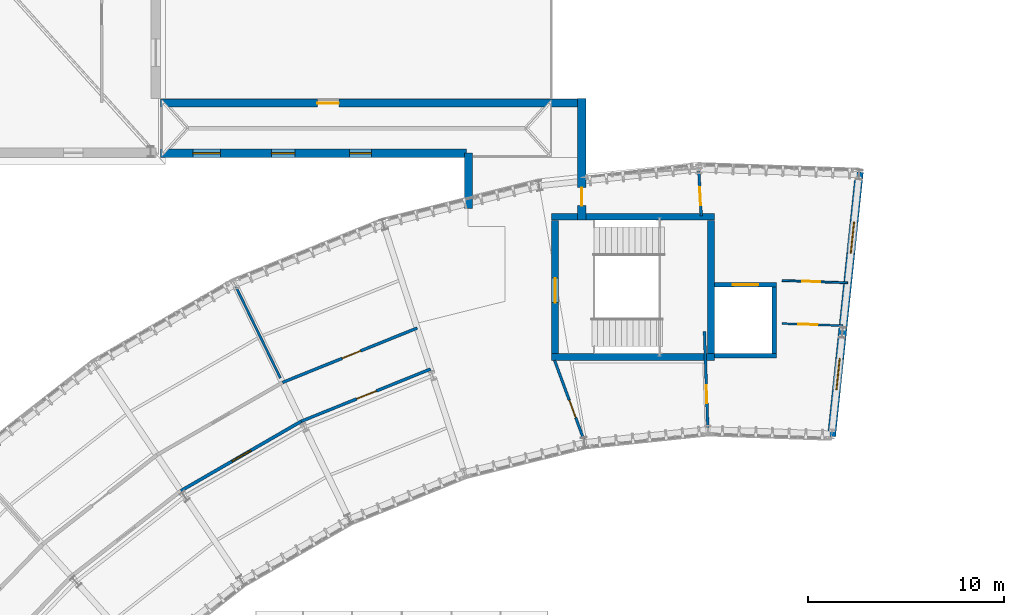
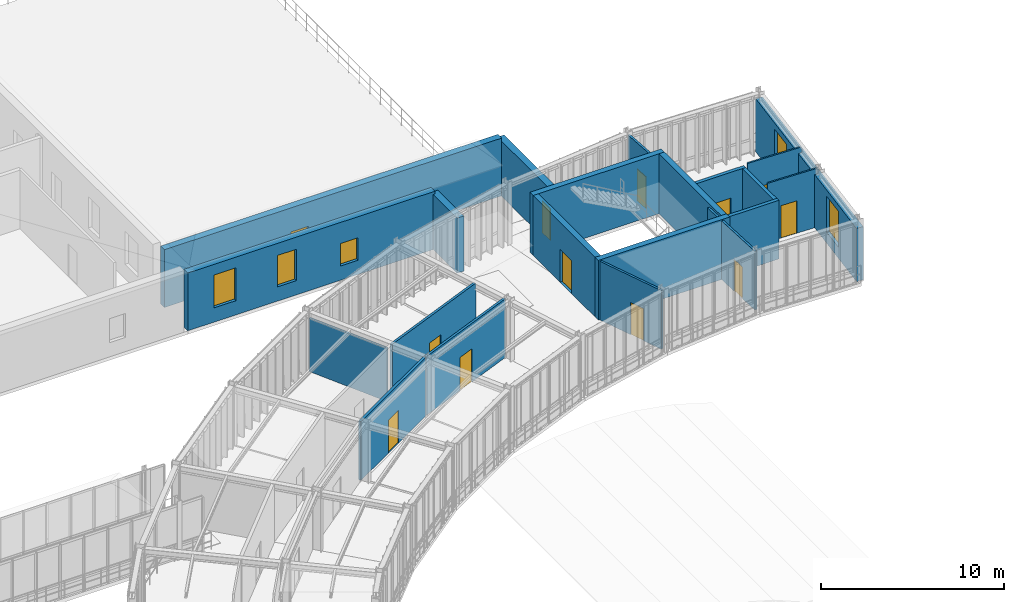
# One storey, part 45 of 57: 21 walls, 12 doors, 5 windows, 17 openings.
"""IFC4 building model written with IfcOpenShell, lengths in metres."""

from ifc_helpers import new_model, si_unit, direction, frame, frame_2d, origin, place, context, subcontext, project, spatial, rectangle, extrude, material, layer, layer_set, type_object, element, fill, save


model = new_model("IFC4")

# Units and contexts
model_context = context("Model", 3, precision=1e-05, world=origin(), true_north=direction((0.0, 1.0)))
body_context = subcontext(model_context, "Body", "Model", "MODEL_VIEW")
ifc_project = project(units=[si_unit("LENGTHUNIT", "METRE"), si_unit("AREAUNIT", "SQUARE_METRE"), si_unit("VOLUMEUNIT", "CUBIC_METRE"), si_unit("PLANEANGLEUNIT", "RADIAN"), si_unit("MASSUNIT", "GRAM", prefix="KILO"), si_unit("THERMODYNAMICTEMPERATUREUNIT", "KELVIN"), si_unit("POWERUNIT", "WATT")], contexts=[model_context])

# Site, building, storey
site_placement = place(None, origin())
site = spatial("IfcSite", under=ifc_project, at=site_placement, CompositionType="ELEMENT")
building_placement = place(site_placement, origin())
building = spatial("IfcBuilding", under=site, at=building_placement, Name="Solvatero Civic Police Headquarters", CompositionType="ELEMENT")
storey_placement = place(building_placement, frame((0.0, 0.0, 9.300048828125)))
storey = spatial("IfcBuildingStorey", under=building, at=storey_placement, Name="L02", CompositionType="ELEMENT", Elevation=9.300048828125)

# Wall, openings, windows
ifc_material_1 = material(Name="Cream Limestone Ashlar", Category="masonry")
ifc_layer_1 = layer(ifc_material_1, 0.419921875)
ifc_layer_set_1 = layer_set([ifc_layer_1], Name="Cream Limestone Ashlar")
wall_type_1 = type_object("IfcWallType", Name="WL-EXT-LIME-420", PredefinedType="SOLIDWALL", material=ifc_layer_set_1)
wall_1_placement = place(storey_placement, frame((64.5, 85.419921875, 0.0), z_axis=(0.0, 0.0, 1.0), x_axis=(1.0, 0.0, 0.0)))
wall_1 = element("IfcWall", 1, at=wall_1_placement, inside=storey, type_object=wall_type_1, Name="Exterior Wall WLE-L02-V7COR-S", PredefinedType="SOLIDWALL", context=body_context, shape_type="SweptSolid", body=[
    extrude(rectangle(XDim=15.60009765625, YDim=0.419921875, at=frame_2d((7.800048828125, 0.0))), origin(), (0.0, 0.0, 1.0), 3.85986328125),
])
opening_1_placement = place(wall_1_placement, frame((1.64990234375, 0.0, 0.949951171875)))
opening_1 = element("IfcOpeningElement", 2, at=opening_1_placement, cuts=wall_1, Name="Opening W-02", PredefinedType="OPENING", context=body_context, shape_type="SweptSolid", body=[
    extrude(rectangle(XDim=1.39990234375, YDim=2.199951171875, at=frame_2d((0.699951171875, 1.10009765625))), frame((0.0, 0.219970703125, 0.0), z_axis=(0.0, -1.0, 0.0), x_axis=(1.0, 0.0, 0.0)), (0.0, 0.0, 1.0), 0.43994140625),
])
opening_2_placement = place(wall_1_placement, frame((5.64990234375, 0.0, 0.949951171875)))
opening_2 = element("IfcOpeningElement", 3, at=opening_2_placement, cuts=wall_1, Name="Opening W-01", PredefinedType="OPENING", context=body_context, shape_type="SweptSolid", body=[
    extrude(rectangle(XDim=1.199951171875, YDim=2.10009765625, at=frame_2d((0.60009765625, 1.050048828125))), frame((0.0, 0.219970703125, 0.0), z_axis=(0.0, -1.0, 0.0), x_axis=(1.0, 0.0, 0.0)), (0.0, 0.0, 1.0), 0.43994140625),
])
opening_3_placement = place(wall_1_placement, frame((9.64990234375, 0.0, 0.949951171875)))
opening_3 = element("IfcOpeningElement", 4, at=opening_3_placement, cuts=wall_1, Name="Opening W-11", PredefinedType="OPENING", context=body_context, shape_type="SweptSolid", body=[
    extrude(rectangle(XDim=1.10009765625, YDim=1.5, at=frame_2d((0.550048828125, 0.75))), frame((0.0, 0.219970703125, 0.0), z_axis=(0.0, -1.0, 0.0), x_axis=(1.0, 0.0, 0.0)), (0.0, 0.0, 1.0), 0.43994140625),
])
ifc_material_2 = material(Name="Ballistic Steel Frame Glass", Category="steel")
window_type_1 = type_object("IfcWindowType", Name="WN-CL-110x150", PartitioningType="SINGLE_PANEL", PredefinedType="WINDOW", material=ifc_material_2)
window_1_placement = place(opening_3_placement, origin())
window_1 = element("IfcWindow", 5, at=window_1_placement, inside=storey, type_object=window_type_1, Name="Exterior Window 0213", OverallHeight=1.5, OverallWidth=1.10009765625, PartitioningType="SINGLE_PANEL", PredefinedType="WINDOW", context=body_context, shape_type="SweptSolid", body=[
    extrude(rectangle(XDim=1.10009765625, YDim=1.5, at=frame_2d((0.550048828125, 0.75))), frame((0.0, 0.030029296875, 0.0), z_axis=(0.0, -1.0, 0.0), x_axis=(1.0, 0.0, 0.0)), (0.0, 0.0, 1.0), 0.06005859375),
])
fill(opening_3, window_1)
ifc_material_3 = material(Name="Anodized Bronze Aluminium", Category="aluminium")
window_type_2 = type_object("IfcWindowType", Name="WN-CL-120x210", PartitioningType="SINGLE_PANEL", PredefinedType="WINDOW", material=ifc_material_3)
window_2_placement = place(opening_2_placement, origin())
window_2 = element("IfcWindow", 6, at=window_2_placement, inside=storey, type_object=window_type_2, Name="Exterior Window 0212", OverallHeight=2.10009765625, OverallWidth=1.199951171875, PartitioningType="SINGLE_PANEL", PredefinedType="WINDOW", context=body_context, shape_type="SweptSolid", body=[
    extrude(rectangle(XDim=1.199951171875, YDim=2.10009765625, at=frame_2d((0.60009765625, 1.050048828125))), frame((0.0, 0.030029296875, 0.0), z_axis=(0.0, -1.0, 0.0), x_axis=(1.0, 0.0, 0.0)), (0.0, 0.0, 1.0), 0.06005859375),
])
fill(opening_2, window_2)
window_type_3 = type_object("IfcWindowType", Name="WN-CL-140x220", PartitioningType="SINGLE_PANEL", PredefinedType="WINDOW", material=ifc_material_3)
window_3_placement = place(opening_1_placement, origin())
window_3 = element("IfcWindow", 7, at=window_3_placement, inside=storey, type_object=window_type_3, Name="Exterior Window 0211", OverallHeight=2.199951171875, OverallWidth=1.39990234375, PartitioningType="SINGLE_PANEL", PredefinedType="WINDOW", context=body_context, shape_type="SweptSolid", body=[
    extrude(rectangle(XDim=1.39990234375, YDim=2.199951171875, at=frame_2d((0.699951171875, 1.10009765625))), frame((0.0, 0.030029296875, 0.0), z_axis=(0.0, -1.0, 0.0), x_axis=(1.0, 0.0, 0.0)), (0.0, 0.0, 1.0), 0.06005859375),
])
fill(opening_1, window_3)

# Wall, opening, door
wall_2_placement = place(storey_placement, frame((64.5, 87.97998046875, 0.0), z_axis=(0.0, 0.0, 1.0), x_axis=(1.0, 0.0, 0.0)))
wall_2 = element("IfcWall", 8, at=wall_2_placement, inside=storey, type_object=wall_type_1, Name="Exterior Wall WLE-L02-V7COR-N", PredefinedType="SOLIDWALL", context=body_context, shape_type="SweptSolid", body=[
    extrude(rectangle(XDim=21.300048828125, YDim=0.419921875, at=frame_2d((10.64990234375, 0.0))), origin(), (0.0, 0.0, 1.0), 3.85986328125),
])
opening_4_placement = place(wall_2_placement, frame((8.0, 0.0, 0.0)))
opening_4 = element("IfcOpeningElement", 9, at=opening_4_placement, cuts=wall_2, Name="Opening ED-02", PredefinedType="OPENING", context=body_context, shape_type="SweptSolid", body=[
    extrude(rectangle(XDim=1.10009765625, YDim=2.25, at=frame_2d((0.550048828125, 1.125))), frame((0.0, 0.219970703125, 0.0), z_axis=(0.0, -1.0, 0.0), x_axis=(1.0, 0.0, 0.0)), (0.0, 0.0, 1.0), 0.43994140625),
])
ifc_material_4 = material(Name="Anodized Bronze Aluminium and Laminated Glass", Category="aluminium")
door_type_1 = type_object("IfcDoorType", Name="DR-EXT-110x225", OperationType="NOTDEFINED", PredefinedType="DOOR", material=ifc_material_4)
door_1_placement = place(opening_4_placement, origin())
door_1 = element("IfcDoor", 10, at=door_1_placement, inside=storey, type_object=door_type_1, Name="Exterior Door DR-L02-TRG7-2", OperationType="SINGLE_SWING_RIGHT", OverallHeight=2.25, OverallWidth=1.10009765625, PredefinedType="DOOR", context=body_context, shape_type="SweptSolid", body=[
    extrude(rectangle(XDim=1.10009765625, YDim=2.25, at=frame_2d((0.550048828125, 1.125))), frame((0.0, 0.02490234375, 0.0), z_axis=(0.0, -1.0, 0.0), x_axis=(1.0, 0.0, 0.0)), (0.0, 0.0, 1.0), 0.050048828125),
])
fill(opening_4, door_1)

# Wall
wall_3_placement = place(storey_placement, frame((80.2099609375, 82.60009765625, 0.0), z_axis=(0.0, 0.0, 1.0), x_axis=(0.0, 1.0, 0.0)))
element("IfcWall", 11, at=wall_3_placement, inside=storey, type_object=wall_type_1, Name="Exterior Wall WLE-L02-C3LK-W", PredefinedType="SOLIDWALL", context=body_context, shape_type="SweptSolid", body=[
    extrude(rectangle(XDim=2.83984375, YDim=0.419921875, at=frame_2d((1.419921875, 0.0))), origin(), (0.0, 0.0, 1.0), 3.677978515625),
])

# Wall, opening, door
wall_4_placement = place(storey_placement, frame((85.989990234375, 82.0, 0.0), z_axis=(0.0, 0.0, 1.0), x_axis=(0.0, 1.0, 0.0)))
wall_4 = element("IfcWall", 12, at=wall_4_placement, inside=storey, type_object=wall_type_1, Name="Exterior Wall WLE-L02-C3LK-E", PredefinedType="SOLIDWALL", context=body_context, shape_type="SweptSolid", body=[
    extrude(rectangle(XDim=6.199951171875, YDim=0.419921875, at=frame_2d((3.10009765625, 0.0))), origin(), (0.0, 0.0, 1.0), 3.677978515625),
])
opening_5_placement = place(wall_4_placement, frame((0.75, 0.0, 0.0)))
opening_5 = element("IfcOpeningElement", 13, at=opening_5_placement, cuts=wall_4, Name="Opening ID-03", PredefinedType="OPENING", context=body_context, shape_type="SweptSolid", body=[
    extrude(rectangle(XDim=0.919921875, YDim=2.1201171875, at=frame_2d((0.4599609375, 1.06005859375))), frame((0.0, 0.219970703125, 0.0), z_axis=(0.0, -1.0, 0.0), x_axis=(1.0, 0.0, 0.0)), (0.0, 0.0, 1.0), 0.43994140625),
])
ifc_material_5 = material(Name="Acoustic Oak Timber Veneer", Category="wood")
door_type_2 = type_object("IfcDoorType", Name="DR-OFF-092x212", OperationType="NOTDEFINED", PredefinedType="DOOR", material=ifc_material_5)
door_2_placement = place(opening_5_placement, origin())
door_2 = element("IfcDoor", 14, at=door_2_placement, inside=storey, type_object=door_type_2, Name="Interior Door DR-L02-C3LK-E", OperationType="SINGLE_SWING_RIGHT", OverallHeight=2.1201171875, OverallWidth=0.919921875, PredefinedType="DOOR", context=body_context, shape_type="SweptSolid", body=[
    extrude(rectangle(XDim=0.919921875, YDim=2.1201171875, at=frame_2d((0.4599609375, 1.06005859375))), frame((0.0, 0.02490234375, 0.0), z_axis=(0.0, -1.0, 0.0), x_axis=(1.0, 0.0, 0.0)), (0.0, 0.0, 1.0), 0.050048828125),
])
fill(opening_5, door_2)

# Wall, openings, windows
wall_5_placement = place(storey_placement, frame((98.726806640625, 70.972412109375, 0.0), z_axis=(0.0, 0.0, 1.0), x_axis=(0.104534827036, 0.994521226489, 0.0)))
wall_5 = element("IfcWall", 15, at=wall_5_placement, inside=storey, type_object=wall_type_1, Name="Exterior Wall WLE-L02-ARC-END-E", PredefinedType="SOLIDWALL", context=body_context, shape_type="SweptSolid", body=[
    extrude(rectangle(XDim=13.559814453125, YDim=0.419921875, at=frame_2d((6.77978515625, 0.0))), origin(), (0.0, 0.0, 1.0), 3.550048828125),
])
opening_6_placement = place(wall_5_placement, frame((2.39990234375, 0.0, 0.739990234375)))
opening_6 = element("IfcOpeningElement", 16, at=opening_6_placement, cuts=wall_5, Name="Opening W-04", PredefinedType="OPENING", context=body_context, shape_type="SweptSolid", body=[
    extrude(rectangle(XDim=1.60009765625, YDim=2.39990234375, at=frame_2d((0.800048828125, 1.199951171875))), frame((0.0, 0.219970703125, 0.0), z_axis=(0.0, -1.0, 0.0), x_axis=(1.0, 0.0, 0.0)), (0.0, 0.0, 1.0), 0.43994140625),
])
opening_7_placement = place(wall_5_placement, frame((9.39990234375, 0.0, 0.739990234375)))
opening_7 = element("IfcOpeningElement", 17, at=opening_7_placement, cuts=wall_5, Name="Opening W-04", PredefinedType="OPENING", context=body_context, shape_type="SweptSolid", body=[
    extrude(rectangle(XDim=1.60009765625, YDim=2.39990234375, at=frame_2d((0.800048828125, 1.199951171875))), frame((0.0, 0.219970703125, 0.0), z_axis=(0.0, -1.0, 0.0), x_axis=(1.0, 0.0, 0.0)), (0.0, 0.0, 1.0), 0.43994140625),
])
window_type_4 = type_object("IfcWindowType", Name="WN-CL-160x240", PartitioningType="SINGLE_PANEL", PredefinedType="WINDOW", material=ifc_material_3)
window_4_placement = place(opening_6_placement, origin())
window_4 = element("IfcWindow", 18, at=window_4_placement, inside=storey, type_object=window_type_4, Name="Exterior Window 0285", OverallHeight=2.39990234375, OverallWidth=1.60009765625, PartitioningType="SINGLE_PANEL", PredefinedType="WINDOW", context=body_context, shape_type="SweptSolid", body=[
    extrude(rectangle(XDim=1.60009765625, YDim=2.39990234375, at=frame_2d((0.800048828125, 1.199951171875))), frame((0.0, 0.030029296875, 0.0), z_axis=(0.0, -1.0, 0.0), x_axis=(1.0, 0.0, 0.0)), (0.0, 0.0, 1.0), 0.06005859375),
])
fill(opening_6, window_4)
window_5_placement = place(opening_7_placement, origin())
window_5 = element("IfcWindow", 19, at=window_5_placement, inside=storey, type_object=window_type_4, Name="Exterior Window 0286", OverallHeight=2.39990234375, OverallWidth=1.60009765625, PartitioningType="SINGLE_PANEL", PredefinedType="WINDOW", context=body_context, shape_type="SweptSolid", body=[
    extrude(rectangle(XDim=1.60009765625, YDim=2.39990234375, at=frame_2d((0.800048828125, 1.199951171875))), frame((0.0, 0.030029296875, 0.0), z_axis=(0.0, -1.0, 0.0), x_axis=(1.0, 0.0, 0.0)), (0.0, 0.0, 1.0), 0.06005859375),
])
fill(opening_7, window_5)

# Wall, opening, door
ifc_material_6 = material(Name="Gypsum Acoustic Stud", Category="gypsum")
ifc_layer_2 = layer(ifc_material_6, 0.10009765625)
ifc_layer_set_2 = layer_set([ifc_layer_2], Name="Gypsum Acoustic Stud")
wall_type_2 = type_object("IfcWallType", Name="WL-PTN-100", PredefinedType="PARTITIONING", material=ifc_layer_set_2)
wall_6_placement = place(storey_placement, frame((99.320556640625, 76.62109375, 0.0), z_axis=(0.0, 0.0, 1.0), x_axis=(-0.999389073029, 0.034949688284, 0.0)))
wall_6 = element("IfcWall", 20, at=wall_6_placement, inside=storey, type_object=wall_type_2, Name="Interior Partition WLP-L02-ARC-CIN-B01", PredefinedType="PARTITIONING", context=body_context, shape_type="SweptSolid", body=[
    extrude(rectangle(XDim=3.12255859375, YDim=0.10009765625, at=frame_2d((1.561279296875, 0.0))), origin(), (0.0, 0.0, 1.0), 3.919921875),
])
opening_8_placement = place(wall_6_placement, frame((1.31103515625, 0.0, 0.0)))
opening_8 = element("IfcOpeningElement", 21, at=opening_8_placement, cuts=wall_6, Name="Opening ID-05", PredefinedType="OPENING", context=body_context, shape_type="SweptSolid", body=[
    extrude(rectangle(XDim=0.97998046875, YDim=2.159912109375, at=frame_2d((0.489990234375, 1.080078125))), frame((0.0, 0.06005859375, 0.0), z_axis=(0.0, -1.0, 0.0), x_axis=(1.0, 0.0, 0.0)), (0.0, 0.0, 1.0), 0.1201171875),
])
ifc_material_7 = material(Name="Powder-Coated Steel", Category="steel")
door_type_3 = type_object("IfcDoorType", Name="DR-OFF-098x216", OperationType="NOTDEFINED", PredefinedType="DOOR", material=ifc_material_7)
door_3_placement = place(opening_8_placement, origin())
door_3 = element("IfcDoor", 22, at=door_3_placement, inside=storey, type_object=door_type_3, Name="Interior Door DR-L02-ARC-IN-B01", OperationType="SINGLE_SWING_RIGHT", OverallHeight=2.159912109375, OverallWidth=0.97998046875, PredefinedType="DOOR", context=body_context, shape_type="SweptSolid", body=[
    extrude(rectangle(XDim=0.97998046875, YDim=2.159912109375, at=frame_2d((0.489990234375, 1.080078125))), frame((0.0, 0.02490234375, 0.0), z_axis=(0.0, -1.0, 0.0), x_axis=(1.0, 0.0, 0.0)), (0.0, 0.0, 1.0), 0.050048828125),
])
fill(opening_8, door_3)

wall_7_placement = place(storey_placement, frame((99.550537109375, 78.80908203125, 0.0), z_axis=(0.0, 0.0, 1.0), x_axis=(-0.999391468521, 0.034881121642, 0.0)))
wall_7 = element("IfcWall", 23, at=wall_7_placement, inside=storey, type_object=wall_type_2, Name="Interior Partition WLP-L02-ARC-COUT-B01", PredefinedType="PARTITIONING", context=body_context, shape_type="SweptSolid", body=[
    extrude(rectangle(XDim=3.3525390625, YDim=0.10009765625, at=frame_2d((1.67626953125, 0.0))), origin(), (0.0, 0.0, 1.0), 3.919921875),
])
opening_9_placement = place(wall_7_placement, frame((1.407958984375, 0.0, 0.0)))
opening_9 = element("IfcOpeningElement", 24, at=opening_9_placement, cuts=wall_7, Name="Opening ID-03", PredefinedType="OPENING", context=body_context, shape_type="SweptSolid", body=[
    extrude(rectangle(XDim=0.919921875, YDim=2.1201171875, at=frame_2d((0.4599609375, 1.06005859375))), frame((0.0, 0.06005859375, 0.0), z_axis=(0.0, -1.0, 0.0), x_axis=(1.0, 0.0, 0.0)), (0.0, 0.0, 1.0), 0.1201171875),
])
door_4_placement = place(opening_9_placement, origin())
door_4 = element("IfcDoor", 25, at=door_4_placement, inside=storey, type_object=door_type_2, Name="Interior Door DR-L02-ARC-OUT-B01", OperationType="SINGLE_SWING_LEFT", OverallHeight=2.1201171875, OverallWidth=0.919921875, PredefinedType="DOOR", context=body_context, shape_type="SweptSolid", body=[
    extrude(rectangle(XDim=0.919921875, YDim=2.1201171875, at=frame_2d((0.4599609375, 1.06005859375))), frame((0.0, 0.02490234375, 0.0), z_axis=(0.0, -1.0, 0.0), x_axis=(1.0, 0.0, 0.0)), (0.0, 0.0, 1.0), 0.050048828125),
])
fill(opening_9, door_4)

# Wall
ifc_layer_3 = layer(ifc_material_6, 0.1201171875)
ifc_layer_set_3 = layer_set([ifc_layer_3], Name="Gypsum Acoustic Stud")
wall_type_3 = type_object("IfcWallType", Name="WL-PTN-120", PredefinedType="PARTITIONING", material=ifc_layer_set_3)
wall_8_placement = place(storey_placement, frame((70.61279296875, 73.95068359375, 0.0), z_axis=(0.0, 0.0, 1.0), x_axis=(-0.438355450259, 0.898801701839, 0.0)))
element("IfcWall", 26, at=wall_8_placement, inside=storey, type_object=wall_type_3, Name="Interior Partition WLP-L02-ARC-RAD-B04", PredefinedType="PARTITIONING", context=body_context, shape_type="SweptSolid", body=[
    extrude(rectangle(XDim=5.150146484375, YDim=0.1201171875, at=frame_2d((2.5751953125, 0.0))), origin(), (0.0, 0.0, 1.0), 3.550048828125),
])

# Wall, opening, door
ifc_material_8 = material(Name="Gypsum Double-Stud", Category="gypsum")
ifc_layer_4 = layer(ifc_material_8, 0.135009765625)
ifc_layer_set_4 = layer_set([ifc_layer_4], Name="Gypsum Double-Stud")
wall_type_4 = type_object("IfcWallType", Name="WL-PTN-135", PredefinedType="PARTITIONING", material=ifc_layer_set_4)
wall_9_placement = place(storey_placement, frame((92.413818359375, 71.42236328125, 0.0), z_axis=(0.0, 0.0, 1.0), x_axis=(-0.034877560821, 0.999391592796, 0.0)))
wall_9 = element("IfcWall", 27, at=wall_9_placement, inside=storey, type_object=wall_type_4, Name="Interior Partition WLP-L02-ARC-R12-IN", PredefinedType="PARTITIONING", context=body_context, shape_type="SweptSolid", body=[
    extrude(rectangle(XDim=4.89990234375, YDim=0.135009765625, at=frame_2d((2.449951171875, 0.0))), origin(), (0.0, 0.0, 1.0), 3.919921875),
])
opening_10_placement = place(wall_9_placement, frame((1.25, 0.0, 0.0)))
opening_10 = element("IfcOpeningElement", 28, at=opening_10_placement, cuts=wall_9, Name="Opening ID-03", PredefinedType="OPENING", context=body_context, shape_type="SweptSolid", body=[
    extrude(rectangle(XDim=0.919921875, YDim=2.1201171875, at=frame_2d((0.4599609375, 1.06005859375))), frame((0.0, 0.077392578125, 0.0), z_axis=(0.0, -1.0, 0.0), x_axis=(1.0, 0.0, 0.0)), (0.0, 0.0, 1.0), 0.155029296875),
])
door_5_placement = place(opening_10_placement, origin())
door_5 = element("IfcDoor", 29, at=door_5_placement, inside=storey, type_object=door_type_2, Name="Interior Door DR-L02-ARC-R12-IN", OperationType="SINGLE_SWING_LEFT", OverallHeight=2.1201171875, OverallWidth=0.919921875, PredefinedType="DOOR", context=body_context, shape_type="SweptSolid", body=[
    extrude(rectangle(XDim=0.919921875, YDim=2.1201171875, at=frame_2d((0.4599609375, 1.06005859375))), frame((0.0, 0.02490234375, 0.0), z_axis=(0.0, -1.0, 0.0), x_axis=(1.0, 0.0, 0.0)), (0.0, 0.0, 1.0), 0.050048828125),
])
fill(opening_10, door_5)

wall_10_placement = place(storey_placement, frame((92.080078125, 82.219970703125, 0.0), z_axis=(0.0, 0.0, 1.0), x_axis=(-0.053763372444, 0.998553704006, 0.0)))
wall_10 = element("IfcWall", 30, at=wall_10_placement, inside=storey, type_object=wall_type_4, Name="Interior Partition WLP-L02-ARC-R12-OUT", PredefinedType="PARTITIONING", context=body_context, shape_type="SweptSolid", body=[
    extrude(rectangle(XDim=2.2978515625, YDim=0.135009765625, at=frame_2d((1.14892578125, 0.0))), origin(), (0.0, 0.0, 1.0), 3.919921875),
])
opening_11_placement = place(wall_10_placement, frame((0.550048828125, 0.0, 0.0)))
opening_11 = element("IfcOpeningElement", 31, at=opening_11_placement, cuts=wall_10, Name="Opening ID-03", PredefinedType="OPENING", context=body_context, shape_type="SweptSolid", body=[
    extrude(rectangle(XDim=0.919921875, YDim=2.1201171875, at=frame_2d((0.4599609375, 1.06005859375))), frame((0.0, 0.077392578125, 0.0), z_axis=(0.0, -1.0, 0.0), x_axis=(1.0, 0.0, 0.0)), (0.0, 0.0, 1.0), 0.155029296875),
])
door_6_placement = place(opening_11_placement, origin())
door_6 = element("IfcDoor", 32, at=door_6_placement, inside=storey, type_object=door_type_2, Name="Interior Door DR-L02-ARC-R12-OUT", OperationType="SINGLE_SWING_RIGHT", OverallHeight=2.1201171875, OverallWidth=0.919921875, PredefinedType="DOOR", context=body_context, shape_type="SweptSolid", body=[
    extrude(rectangle(XDim=0.919921875, YDim=2.1201171875, at=frame_2d((0.4599609375, 1.06005859375))), frame((0.0, 0.02490234375, 0.0), z_axis=(0.0, -1.0, 0.0), x_axis=(1.0, 0.0, 0.0)), (0.0, 0.0, 1.0), 0.050048828125),
])
fill(opening_11, door_6)

wall_11_placement = place(storey_placement, frame((86.107666015625, 70.759521484375, 0.0), z_axis=(0.0, 0.0, 1.0), x_axis=(-0.345809164341, 0.938304866159, 0.0)))
wall_11 = element("IfcWall", 33, at=wall_11_placement, inside=storey, type_object=wall_type_4, Name="Interior Partition WLP-L02-ARC-R23-IN", PredefinedType="PARTITIONING", context=body_context, shape_type="SweptSolid", body=[
    extrude(rectangle(XDim=4.359619140625, YDim=0.135009765625, at=frame_2d((2.1796875, 0.0))), origin(), (0.0, 0.0, 1.0), 3.919921875),
])
opening_12_placement = place(wall_11_placement, frame((1.25, 0.0, 0.0)))
opening_12 = element("IfcOpeningElement", 34, at=opening_12_placement, cuts=wall_11, Name="Opening ID-04", PredefinedType="OPENING", context=body_context, shape_type="SweptSolid", body=[
    extrude(rectangle(XDim=0.949951171875, YDim=2.14990234375, at=frame_2d((0.47509765625, 1.074951171875))), frame((0.0, 0.077392578125, 0.0), z_axis=(0.0, -1.0, 0.0), x_axis=(1.0, 0.0, 0.0)), (0.0, 0.0, 1.0), 0.155029296875),
])
door_type_4 = type_object("IfcDoorType", Name="DR-ACC-095x215", OperationType="NOTDEFINED", PredefinedType="DOOR", material=ifc_material_5)
door_7_placement = place(opening_12_placement, origin())
door_7 = element("IfcDoor", 35, at=door_7_placement, inside=storey, type_object=door_type_4, Name="Interior Door DR-L02-ARC-R23-IN", OperationType="SINGLE_SWING_LEFT", OverallHeight=2.14990234375, OverallWidth=0.949951171875, PredefinedType="DOOR", context=body_context, shape_type="SweptSolid", body=[
    extrude(rectangle(XDim=0.949951171875, YDim=2.14990234375, at=frame_2d((0.47509765625, 1.074951171875))), frame((0.0, 0.02490234375, 0.0), z_axis=(0.0, -1.0, 0.0), x_axis=(1.0, 0.0, 0.0)), (0.0, 0.0, 1.0), 0.050048828125),
])
fill(opening_12, door_7)

ifc_layer_5 = layer(ifc_material_6, 0.14990234375)
ifc_layer_set_5 = layer_set([ifc_layer_5], Name="Gypsum Acoustic Stud")
wall_type_5 = type_object("IfcWallType", Name="WL-PTN-150", PredefinedType="PARTITIONING", material=ifc_layer_set_5)
wall_12_placement = place(storey_placement, frame((78.27099609375, 74.40869140625, 0.0), z_axis=(0.0, 0.0, 1.0), x_axis=(-0.927181218568, -0.374613117677, 0.0)))
wall_12 = element("IfcWall", 36, at=wall_12_placement, inside=storey, type_object=wall_type_5, Name="Interior Partition WLP-L02-ARC-CIN-B04", PredefinedType="PARTITIONING", context=body_context, shape_type="SweptSolid", body=[
    extrude(rectangle(XDim=7.10107421875, YDim=0.14990234375, at=frame_2d((3.550537109375, 0.0))), origin(), (0.0, 0.0, 1.0), 3.919921875),
])
opening_13_placement = place(wall_12_placement, frame((2.98291015625, 0.0, 0.0)))
opening_13 = element("IfcOpeningElement", 37, at=opening_13_placement, cuts=wall_12, Name="Opening ID-08", PredefinedType="OPENING", context=body_context, shape_type="SweptSolid", body=[
    extrude(rectangle(XDim=1.080078125, YDim=2.219970703125, at=frame_2d((0.5400390625, 1.10986328125))), frame((0.0, 0.0849609375, 0.0), z_axis=(0.0, -1.0, 0.0), x_axis=(1.0, 0.0, 0.0)), (0.0, 0.0, 1.0), 0.169921875),
])
door_type_5 = type_object("IfcDoorType", Name="DR-LAB-108x222", OperationType="NOTDEFINED", PredefinedType="DOOR", material=ifc_material_7)
door_8_placement = place(opening_13_placement, origin())
door_8 = element("IfcDoor", 38, at=door_8_placement, inside=storey, type_object=door_type_5, Name="Interior Door DR-L02-ARC-IN-B04", OperationType="SINGLE_SWING_RIGHT", OverallHeight=2.219970703125, OverallWidth=1.080078125, PredefinedType="DOOR", context=body_context, shape_type="SweptSolid", body=[
    extrude(rectangle(XDim=1.080078125, YDim=2.219970703125, at=frame_2d((0.5400390625, 1.10986328125))), frame((0.0, 0.02490234375, 0.0), z_axis=(0.0, -1.0, 0.0), x_axis=(1.0, 0.0, 0.0)), (0.0, 0.0, 1.0), 0.050048828125),
])
fill(opening_13, door_8)

wall_13_placement = place(storey_placement, frame((77.59130859375, 76.501220703125, 0.0), z_axis=(0.0, 0.0, 1.0), x_axis=(-0.927187035022, -0.374598721418, 0.0)))
wall_13 = element("IfcWall", 39, at=wall_13_placement, inside=storey, type_object=wall_type_5, Name="Interior Partition WLP-L02-ARC-COUT-B04", PredefinedType="PARTITIONING", context=body_context, shape_type="SweptSolid", body=[
    extrude(rectangle(XDim=7.408203125, YDim=0.14990234375, at=frame_2d((3.7041015625, 0.0))), origin(), (0.0, 0.0, 1.0), 3.919921875),
])
opening_14_placement = place(wall_13_placement, frame((3.111083984375, 0.0, 0.0)))
opening_14 = element("IfcOpeningElement", 40, at=opening_14_placement, cuts=wall_13, Name="Opening ID-06", PredefinedType="OPENING", context=body_context, shape_type="SweptSolid", body=[
    extrude(rectangle(XDim=1.02001953125, YDim=2.179931640625, at=frame_2d((0.510009765625, 1.08984375))), frame((0.0, 0.0849609375, 0.0), z_axis=(0.0, -1.0, 0.0), x_axis=(1.0, 0.0, 0.0)), (0.0, 0.0, 1.0), 0.169921875),
])
door_type_6 = type_object("IfcDoorType", Name="DR-LAB-102x218", OperationType="NOTDEFINED", PredefinedType="DOOR", material=ifc_material_7)
door_9_placement = place(opening_14_placement, origin())
door_9 = element("IfcDoor", 41, at=door_9_placement, inside=storey, type_object=door_type_6, Name="Interior Door DR-L02-ARC-OUT-B04", OperationType="SINGLE_SWING_LEFT", OverallHeight=2.179931640625, OverallWidth=1.02001953125, PredefinedType="DOOR", context=body_context, shape_type="SweptSolid", body=[
    extrude(rectangle(XDim=1.02001953125, YDim=2.179931640625, at=frame_2d((0.510009765625, 1.08984375))), frame((0.0, 0.02490234375, 0.0), z_axis=(0.0, -1.0, 0.0), x_axis=(1.0, 0.0, 0.0)), (0.0, 0.0, 1.0), 0.050048828125),
])
fill(opening_14, door_9)

ifc_material_9 = material(Name="Concrete Blockwork", Category="masonry")
ifc_layer_6 = layer(ifc_material_9, 0.1650390625)
ifc_layer_set_6 = layer_set([ifc_layer_6], Name="Concrete Blockwork")
wall_type_6 = type_object("IfcWallType", Name="WL-PTN-165", PredefinedType="PARTITIONING", material=ifc_layer_set_6)
wall_14_placement = place(storey_placement, frame((71.68701171875, 71.74853515625, 0.0), z_axis=(0.0, 0.0, 1.0), x_axis=(-0.866032151687, -0.499988312107, 0.0)))
wall_14 = element("IfcWall", 42, at=wall_14_placement, inside=storey, type_object=wall_type_6, Name="Interior Partition WLP-L02-ARC-CIN-B05", PredefinedType="PARTITIONING", context=body_context, shape_type="SweptSolid", body=[
    extrude(rectangle(XDim=7.101318359375, YDim=0.1650390625, at=frame_2d((3.55078125, 0.0))), origin(), (0.0, 0.0, 1.0), 3.919921875),
])
opening_15_placement = place(wall_14_placement, frame((2.98193359375, 0.0, 0.0)))
opening_15 = element("IfcOpeningElement", 43, at=opening_15_placement, cuts=wall_14, Name="Opening ID-09", PredefinedType="OPENING", context=body_context, shape_type="SweptSolid", body=[
    extrude(rectangle(XDim=1.1201171875, YDim=2.199951171875, at=frame_2d((0.56005859375, 1.10009765625))), frame((0.0, 0.092529296875, 0.0), z_axis=(0.0, -1.0, 0.0), x_axis=(1.0, 0.0, 0.0)), (0.0, 0.0, 1.0), 0.18505859375),
])
door_type_7 = type_object("IfcDoorType", Name="DR-PLT-112x220", OperationType="NOTDEFINED", PredefinedType="DOOR", material=ifc_material_7)
door_10_placement = place(opening_15_placement, origin())
door_10 = element("IfcDoor", 44, at=door_10_placement, inside=storey, type_object=door_type_7, Name="Interior Door DR-L02-ARC-IN-B05", OperationType="SINGLE_SWING_RIGHT", OverallHeight=2.199951171875, OverallWidth=1.1201171875, PredefinedType="DOOR", context=body_context, shape_type="SweptSolid", body=[
    extrude(rectangle(XDim=1.1201171875, YDim=2.199951171875, at=frame_2d((0.56005859375, 1.10009765625))), frame((0.0, 0.02490234375, 0.0), z_axis=(0.0, -1.0, 0.0), x_axis=(1.0, 0.0, 0.0)), (0.0, 0.0, 1.0), 0.050048828125),
])
fill(opening_15, door_10)

# Wall
ifc_material_10 = material(Name="Concrete C35/45", Category="concrete")
ifc_layer_7 = layer(ifc_material_10, 0.219970703125)
ifc_layer_set_7 = layer_set([ifc_layer_7], Name="Concrete C35/45")
wall_type_7 = type_object("IfcWallType", Name="WL-SHF-220", PredefinedType="PARTITIONING", material=ifc_layer_set_7)
wall_15_placement = place(storey_placement, frame((92.760009765625, 75.090087890625, 0.0), z_axis=(0.0, 0.0, 1.0), x_axis=(1.0, 0.0, 0.0)))
element("IfcWall", 45, at=wall_15_placement, inside=storey, type_object=wall_type_7, Name="Lift Shaft Wall WLS-LG-01-L02-S", PredefinedType="PARTITIONING", context=body_context, shape_type="SweptSolid", body=[
    extrude(rectangle(XDim=3.159912109375, YDim=0.219970703125, at=frame_2d((1.580078125, 0.0))), origin(), (0.0, 0.0, 1.0), 3.919921875),
])

# Wall, opening, door
wall_16_placement = place(storey_placement, frame((92.760009765625, 78.7099609375, 0.0), z_axis=(0.0, 0.0, 1.0), x_axis=(1.0, 0.0, 0.0)))
wall_16 = element("IfcWall", 46, at=wall_16_placement, inside=storey, type_object=wall_type_7, Name="Lift Shaft Wall WLS-LG-01-L02-N", PredefinedType="PARTITIONING", context=body_context, shape_type="SweptSolid", body=[
    extrude(rectangle(XDim=3.159912109375, YDim=0.219970703125, at=frame_2d((1.580078125, 0.0))), origin(), (0.0, 0.0, 1.0), 3.919921875),
])
opening_16_placement = place(wall_16_placement, frame((0.929931640625, 0.0, 0.0)))
opening_16 = element("IfcOpeningElement", 47, at=opening_16_placement, cuts=wall_16, Name="Opening LD-02", PredefinedType="OPENING", context=body_context, shape_type="SweptSolid", body=[
    extrude(rectangle(XDim=1.300048828125, YDim=2.199951171875, at=frame_2d((0.64990234375, 1.10009765625))), frame((0.0, 0.119873046875, 0.0), z_axis=(0.0, -1.0, 0.0), x_axis=(1.0, 0.0, 0.0)), (0.0, 0.0, 1.0), 0.239990234375),
])
ifc_material_11 = material(Name="Stainless Steel Grade 316", Category="steel")
door_type_8 = type_object("IfcDoorType", Name="DR-LFT-130x220", OperationType="DOUBLE_DOOR_SLIDING", PredefinedType="DOOR", material=ifc_material_11)
door_11_placement = place(opening_16_placement, origin())
door_11 = element("IfcDoor", 48, at=door_11_placement, inside=storey, type_object=door_type_8, Name="Interior Door DR-LFT-LG-01-L02", OperationType="DOUBLE_DOOR_SLIDING", OverallHeight=2.199951171875, OverallWidth=1.300048828125, PredefinedType="DOOR", context=body_context, shape_type="SweptSolid", body=[
    extrude(rectangle(XDim=1.300048828125, YDim=2.199951171875, at=frame_2d((0.64990234375, 1.10009765625))), frame((0.0, 0.02490234375, 0.0), z_axis=(0.0, -1.0, 0.0), x_axis=(1.0, 0.0, 0.0)), (0.0, 0.0, 1.0), 0.050048828125),
])
fill(opening_16, door_11)

# Walls
wall_17_placement = place(storey_placement, frame((95.81005859375, 75.199951171875, 0.0), z_axis=(0.0, 0.0, 1.0), x_axis=(0.0, 1.0, 0.0)))
element("IfcWall", 49, at=wall_17_placement, inside=storey, type_object=wall_type_7, Name="Lift Shaft Wall WLS-LG-01-L02-E", PredefinedType="PARTITIONING", context=body_context, shape_type="SweptSolid", body=[
    extrude(rectangle(XDim=3.400146484375, YDim=0.219970703125, at=frame_2d((1.7001953125, 0.0))), origin(), (0.0, 0.0, 1.0), 3.919921875),
])
ifc_material_12 = material(Name="Concrete C40/50", Category="concrete")
ifc_layer_8 = layer(ifc_material_12, 0.35009765625)
ifc_layer_set_8 = layer_set([ifc_layer_8], Name="Concrete C40/50")
wall_type_8 = type_object("IfcWallType", Name="WL-SHR-350", PredefinedType="SHEAR", material=ifc_layer_set_8)
for number, where, z_axis, x_axis, name in (
    (50, (84.449951171875, 75.02490234375, 0.0), (0.0, 0.0, 1.0), (1.0, 0.0, 0.0), "Core C3 Shear Wall S L02"),
    (51, (84.449951171875, 82.175048828125, 0.0), (0.0, 0.0, 1.0), (1.0, 0.0, 0.0), "Core C3 Shear Wall N L02"),
):
    element("IfcWall", number, at=place(storey_placement, frame(where, z_axis=z_axis, x_axis=x_axis)), inside=storey, type_object=wall_type_8, Name=name, PredefinedType="SHEAR", context=body_context, shape_type="SweptSolid", body=[
        extrude(rectangle(XDim=8.300048828125, YDim=0.35009765625, at=frame_2d((4.14990234375, 0.0))), origin(), (0.0, 0.0, 1.0), 4.0),
    ])

# Wall, opening, door
wall_18_placement = place(storey_placement, frame((84.625, 75.199951171875, 0.0), z_axis=(0.0, 0.0, 1.0), x_axis=(0.0, 1.0, 0.0)))
wall_18 = element("IfcWall", 52, at=wall_18_placement, inside=storey, type_object=wall_type_8, Name="Core C3 Shear Wall W L02", PredefinedType="SHEAR", context=body_context, shape_type="SweptSolid", body=[
    extrude(rectangle(XDim=6.800048828125, YDim=0.35009765625, at=frame_2d((3.39990234375, 0.0))), origin(), (0.0, 0.0, 1.0), 4.0),
])
opening_17_placement = place(wall_18_placement, frame((2.60009765625, 0.0, 0.0)))
opening_17 = element("IfcOpeningElement", 53, at=opening_17_placement, cuts=wall_18, Name="Opening FD-01", PredefinedType="OPENING", context=body_context, shape_type="SweptSolid", body=[
    extrude(rectangle(XDim=1.25, YDim=2.199951171875, at=frame_2d((0.625, 1.10009765625))), frame((0.0, 0.18505859375, 0.0), z_axis=(0.0, -1.0, 0.0), x_axis=(1.0, 0.0, 0.0)), (0.0, 0.0, 1.0), 0.3701171875),
])
door_type_9 = type_object("IfcDoorType", Name="DR-STR-125x220", OperationType="NOTDEFINED", PredefinedType="DOOR", material=ifc_material_7)
door_12_placement = place(opening_17_placement, origin())
door_12 = element("IfcDoor", 54, at=door_12_placement, inside=storey, type_object=door_type_9, Name="Interior Door DR-STR-C3-L02", OperationType="SINGLE_SWING_LEFT", OverallHeight=2.199951171875, OverallWidth=1.25, PredefinedType="DOOR", context=body_context, shape_type="SweptSolid", body=[
    extrude(rectangle(XDim=1.25, YDim=2.199951171875, at=frame_2d((0.625, 1.10009765625))), frame((0.0, 0.02490234375, 0.0), z_axis=(0.0, -1.0, 0.0), x_axis=(1.0, 0.0, 0.0)), (0.0, 0.0, 1.0), 0.050048828125),
])
fill(opening_17, door_12)

# Wall
wall_19_placement = place(storey_placement, frame((92.574951171875, 75.199951171875, 0.0), z_axis=(0.0, 0.0, 1.0), x_axis=(0.0, 1.0, 0.0)))
element("IfcWall", 55, at=wall_19_placement, inside=storey, type_object=wall_type_8, Name="Core C3 Shear Wall E L02", PredefinedType="SHEAR", context=body_context, shape_type="SweptSolid", body=[
    extrude(rectangle(XDim=6.800048828125, YDim=0.35009765625, at=frame_2d((3.39990234375, 0.0))), origin(), (0.0, 0.0, 1.0), 4.0),
])

save(model, "model.ifc")
